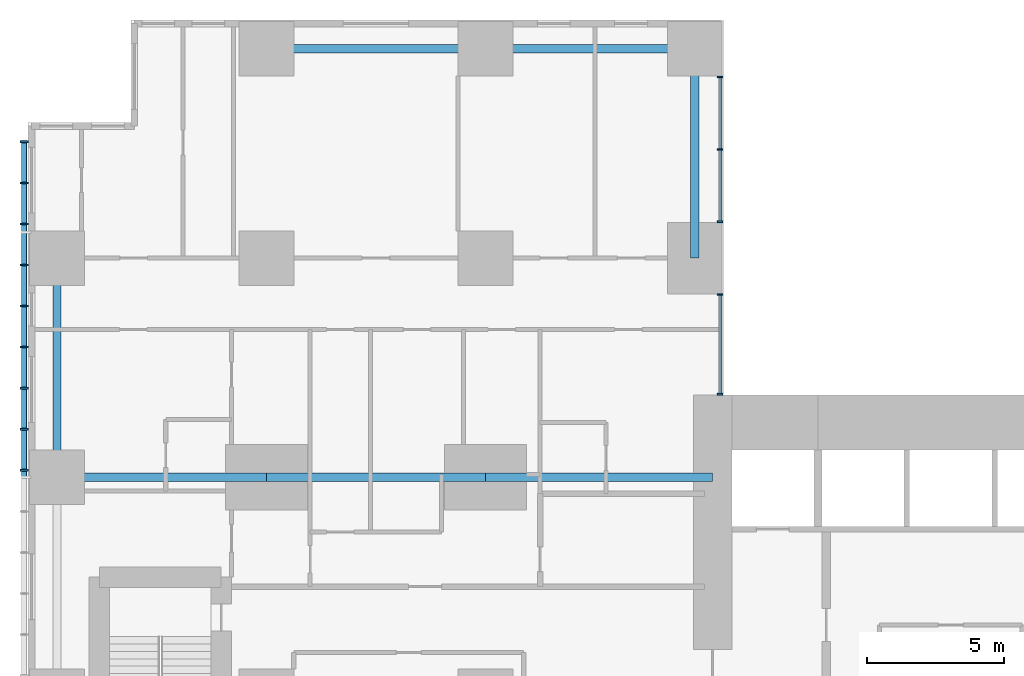
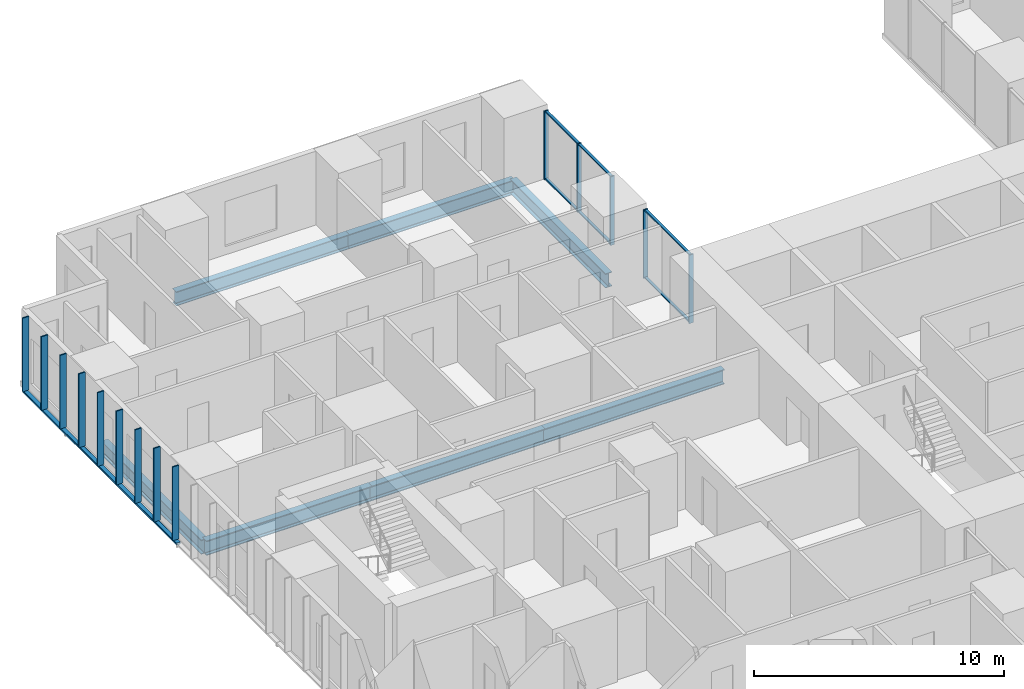
# One storey, part 4 of 20: 21 members, 7 beams, 2 elements without a shape of their own.
"""IFC4 building model written with IfcOpenShell, lengths in metres."""

from ifc_helpers import new_model, si_unit, direction, frame, origin, origin_2d, place, context, subcontext, project, spatial, rectangle, hollow_rectangle, i_section, extrude, material, layer, layer_set, material_profile, profile_set, type_object, element, aggregate, save


model = new_model("IFC4")

# Units and contexts
model_context = context("Model", 3, precision=1e-05, world=origin(), true_north=direction((0.0, 1.0)))
body_context = subcontext(model_context, "Body", "Model", "MODEL_VIEW")
ifc_project = project(units=[si_unit("LENGTHUNIT", "METRE"), si_unit("AREAUNIT", "SQUARE_METRE"), si_unit("VOLUMEUNIT", "CUBIC_METRE"), si_unit("PLANEANGLEUNIT", "RADIAN"), si_unit("MASSUNIT", "GRAM", prefix="KILO")], contexts=[model_context])

# Site, building, storey
site_placement = place(None, origin())
site = spatial("IfcSite", under=ifc_project, at=site_placement, CompositionType="ELEMENT")
building_placement = place(site_placement, origin())
building = spatial("IfcBuilding", under=site, at=building_placement, Name="Cleftline Residences", CompositionType="ELEMENT")
storey_placement = place(building_placement, frame((0.0, 0.0, 146.60009765625)))
storey = spatial("IfcBuildingStorey", under=building, at=storey_placement, Name="L38", CompositionType="ELEMENT", Elevation=146.60009765625)

# Member
ifc_material_1 = material(Name="Steel S355, hot-dip galvanised", Category="steel")
ifc_material_profile_1 = material_profile(ifc_material_1, hollow_rectangle(XDim=0.10009765625, YDim=0.199951171875, WallThickness=0.008056640625, InnerFilletRadius=0.008056640625, OuterFilletRadius=0.011962890625, at=origin_2d()))
ifc_profile_set_1 = profile_set([ifc_material_profile_1], Name="Steel S355, hot-dip galvanised")
member_type_1 = type_object("IfcMemberType", Name="BAGUETTE CARRIER RHS 200X100X8", PredefinedType="USERDEFINED", material=ifc_profile_set_1)
member_1_placement = place(storey_placement, frame((-0.85009765625, 44.300048828125, -0.050048828125), z_axis=(0.0, -1.0, 0.0), x_axis=(0.0, 0.0, 1.0)))
element("IfcMember", 1, at=member_1_placement, inside=storey, type_object=member_type_1, Name="Baguette carrier", ObjectType="BAGUETTE CARRIER", PredefinedType="USERDEFINED", context=body_context, shape_type="SweptSolid", body=[
    extrude(hollow_rectangle(XDim=0.10009765625, YDim=0.199951171875, WallThickness=0.008056640625, InnerFilletRadius=0.008056640625, OuterFilletRadius=0.011962890625, at=origin_2d()), origin(), (0.0, 0.0, 1.0), 12.300048828125),
])

# Beams
ifc_material_2 = material(Name="Steel S355", Category="steel")
ifc_material_profile_2 = material_profile(ifc_material_2, i_section(OverallWidth=0.300048828125, OverallDepth=0.699951171875, WebThickness=0.01708984375, FlangeThickness=0.031982421875, FilletRadius=0.027099609375, at=origin_2d()))
ifc_profile_set_2 = profile_set([ifc_material_profile_2], Name="Steel S355")
beam_type_1 = type_object("IfcBeamType", Name="BEAM HEB 700", PredefinedType="BEAM", material=ifc_profile_set_2)
for number, where, z_axis, x_axis, name in (
    (2, (0.35009765625, 32.0, -0.60009765625), (0.0, 1.0, 0.0), (-1.0, 0.0, 0.0), "Edge beam"),
    (3, (8.0, 47.64990234375, -0.60009765625), (1.0, 0.0, 0.0), (0.0, 1.0, 0.0), "Edge beam"),
):
    element("IfcBeam", number, at=place(storey_placement, frame(where, z_axis=z_axis, x_axis=x_axis)), inside=storey, type_object=beam_type_1, Name=name, PredefinedType="BEAM", context=body_context, shape_type="SweptSolid", body=[
        extrude(i_section(OverallWidth=0.300048828125, OverallDepth=0.699951171875, WebThickness=0.01708984375, FlangeThickness=0.031982421875, FilletRadius=0.027099609375, at=origin_2d()), origin(), (0.0, 0.0, 1.0), 8.0),
    ])
for number, where, z_axis, x_axis, name in (
    (4, (16.0, 47.64990234375, -0.60009765625), (1.0, 0.0, 0.0), (0.0, 1.0, 0.0), "Edge beam"),
    (5, (23.64990234375, 47.64990234375, -0.60009765625), (0.0, -1.0, 0.0), (1.0, 0.0, 0.0), "Edge beam"),
):
    element("IfcBeam", number, at=place(storey_placement, frame(where, z_axis=z_axis, x_axis=x_axis)), inside=storey, type_object=beam_type_1, Name=name, PredefinedType="BEAM", context=body_context, shape_type="SweptSolid", body=[
        extrude(i_section(OverallWidth=0.300048828125, OverallDepth=0.699951171875, WebThickness=0.01708984375, FlangeThickness=0.031982421875, FilletRadius=0.027099609375, at=origin_2d()), origin(), (0.0, 0.0, 1.0), 7.64990234375),
    ])
ifc_material_3 = material(Name="Steel S355", Category="steel")
ifc_material_profile_3 = material_profile(ifc_material_3, i_section(OverallWidth=0.303955078125, OverallDepth=0.716064453125, WebThickness=0.02099609375, FlangeThickness=0.0400390625, FilletRadius=0.027099609375, at=origin_2d()))
ifc_profile_set_3 = profile_set([ifc_material_profile_3], Name="Steel S355")
beam_type_2 = type_object("IfcBeamType", Name="BEAM HEM 700", PredefinedType="BEAM", material=ifc_profile_set_3)
beam_1_placement = place(storey_placement, frame((0.35009765625, 32.0, -0.608154296875), z_axis=(1.0, 0.0, 0.0), x_axis=(0.0, 1.0, 0.0)))
element("IfcBeam", 6, at=beam_1_placement, inside=storey, type_object=beam_type_2, Name="Band beam", PredefinedType="BEAM", context=body_context, shape_type="SweptSolid", body=[
    extrude(i_section(OverallWidth=0.303955078125, OverallDepth=0.716064453125, WebThickness=0.02099609375, FlangeThickness=0.0400390625, FilletRadius=0.027099609375, at=origin_2d()), origin(), (0.0, 0.0, 1.0), 7.64990234375),
])
beam_2_placement = place(storey_placement, frame((8.0, 32.0, -0.608154296875), z_axis=(1.0, 0.0, 0.0), x_axis=(0.0, 1.0, 0.0)))
element("IfcBeam", 7, at=beam_2_placement, inside=storey, type_object=beam_type_2, Name="Band beam", PredefinedType="BEAM", context=body_context, shape_type="SweptSolid", body=[
    extrude(i_section(OverallWidth=0.303955078125, OverallDepth=0.716064453125, WebThickness=0.02099609375, FlangeThickness=0.0400390625, FilletRadius=0.027099609375, at=origin_2d()), origin(), (0.0, 0.0, 1.0), 8.0),
])
beam_3_placement = place(storey_placement, frame((16.0, 32.0, -0.608154296875), z_axis=(1.0, 0.0, 0.0), x_axis=(0.0, 1.0, 0.0)))
element("IfcBeam", 8, at=beam_3_placement, inside=storey, type_object=beam_type_2, Name="Band beam", PredefinedType="BEAM", context=body_context, shape_type="SweptSolid", body=[
    extrude(i_section(OverallWidth=0.303955078125, OverallDepth=0.716064453125, WebThickness=0.02099609375, FlangeThickness=0.0400390625, FilletRadius=0.027099609375, at=origin_2d()), origin(), (0.0, 0.0, 1.0), 8.300048828125),
])

# Curtain wall, members
ifc_material_4 = material(Name="Aluminium framed curtain wall", Category="aluminium")
ifc_layer = layer(ifc_material_4, 0.199951171875)
ifc_layer_set = layer_set([ifc_layer], Name="CW1 CLEFT GLAZING")
curtain_wall_type = type_object("IfcCurtainWallType", Name="CW1 CLEFT GLAZING", PredefinedType="NOTDEFINED", material=ifc_layer_set)
curtain_wall_1_placement = place(storey_placement, origin())
curtain_wall_1 = element("IfcCurtainWall", 9, at=curtain_wall_1_placement, inside=storey, type_object=curtain_wall_type, Name="Curtain wall CW1", PredefinedType="NOTDEFINED")
ifc_material_5 = material(Name="Aluminium mullion", Category="aluminium")
ifc_material_profile_4 = material_profile(ifc_material_5, rectangle(XDim=0.199951171875, YDim=0.06005859375, at=origin_2d()))
ifc_profile_set_4 = profile_set([ifc_material_profile_4], Name="Aluminium mullion")
member_type_2 = type_object("IfcMemberType", Name="CW1 MULLION", PredefinedType="MULLION", material=ifc_profile_set_4)
member_2_placement = place(storey_placement, frame((24.574951171875, 35.030029296875, 0.0), z_axis=(0.0, 0.0, 1.0), x_axis=(-1.0, 0.0, 0.0)))
member_2 = element("IfcMember", 10, at=member_2_placement, type_object=member_type_2, Name="CW1 mullion 1", PredefinedType="MULLION", context=body_context, shape_type="SweptSolid", body=[
    extrude(rectangle(XDim=0.199951171875, YDim=0.06005859375, at=origin_2d()), origin(), (0.0, 0.0, 1.0), 3.349853515625),
])
member_3_placement = place(storey_placement, frame((24.574951171875, 38.669921875, 0.0), z_axis=(0.0, 0.0, 1.0), x_axis=(-1.0, 0.0, 0.0)))
member_3 = element("IfcMember", 11, at=member_3_placement, type_object=member_type_2, Name="CW1 mullion 2", PredefinedType="MULLION", context=body_context, shape_type="SweptSolid", body=[
    extrude(rectangle(XDim=0.199951171875, YDim=0.06005859375, at=origin_2d()), origin(), (0.0, 0.0, 1.0), 3.349853515625),
])

curtain_wall_2_placement = place(storey_placement, origin())
curtain_wall_2 = element("IfcCurtainWall", 12, at=curtain_wall_2_placement, inside=storey, type_object=curtain_wall_type, Name="Curtain wall CW1", PredefinedType="NOTDEFINED")
member_4_placement = place(storey_placement, frame((24.574951171875, 41.330078125, 0.0), z_axis=(0.0, 0.0, 1.0), x_axis=(-1.0, 0.0, 0.0)))
member_4 = element("IfcMember", 13, at=member_4_placement, type_object=member_type_2, Name="CW1 mullion 1", PredefinedType="MULLION", context=body_context, shape_type="SweptSolid", body=[
    extrude(rectangle(XDim=0.199951171875, YDim=0.06005859375, at=origin_2d()), origin(), (0.0, 0.0, 1.0), 3.349853515625),
])
member_5_placement = place(storey_placement, frame((24.574951171875, 43.97509765625, 0.0), z_axis=(0.0, 0.0, 1.0), x_axis=(-1.0, 0.0, 0.0)))
member_5 = element("IfcMember", 14, at=member_5_placement, type_object=member_type_2, Name="CW1 mullion 2", PredefinedType="MULLION", context=body_context, shape_type="SweptSolid", body=[
    extrude(rectangle(XDim=0.199951171875, YDim=0.06005859375, at=origin_2d()), origin(), (0.0, 0.0, 1.0), 3.349853515625),
])
member_6_placement = place(storey_placement, frame((24.574951171875, 46.6201171875, 0.0), z_axis=(0.0, 0.0, 1.0), x_axis=(-1.0, 0.0, 0.0)))
member_6 = element("IfcMember", 15, at=member_6_placement, type_object=member_type_2, Name="CW1 mullion 3", PredefinedType="MULLION", context=body_context, shape_type="SweptSolid", body=[
    extrude(rectangle(XDim=0.199951171875, YDim=0.06005859375, at=origin_2d()), origin(), (0.0, 0.0, 1.0), 3.349853515625),
])

# Member
ifc_material_6 = material(Name="Aluminium transom", Category="aluminium")
ifc_material_profile_5 = material_profile(ifc_material_6, rectangle(XDim=0.1201171875, YDim=0.06005859375, at=origin_2d()))
ifc_profile_set_5 = profile_set([ifc_material_profile_5], Name="Aluminium transom")
member_type_3 = type_object("IfcMemberType", Name="CW1 TRANSOM", PredefinedType="USERDEFINED", material=ifc_profile_set_5)
member_7_placement = place(storey_placement, frame((24.574951171875, 35.06005859375, 0.02978515625), z_axis=(0.0, 1.0, 0.0), x_axis=(-1.0, 0.0, 0.0)))
member_7 = element("IfcMember", 16, at=member_7_placement, type_object=member_type_3, Name="CW1 transom 1.1", ObjectType="TRANSOM", PredefinedType="USERDEFINED", context=body_context, shape_type="SweptSolid", body=[
    extrude(rectangle(XDim=0.1201171875, YDim=0.06005859375, at=origin_2d()), origin(), (0.0, 0.0, 1.0), 3.579833984375),
])

member_8_placement = place(storey_placement, frame((24.574951171875, 35.06005859375, 3.31982421875), z_axis=(0.0, 1.0, 0.0), x_axis=(-1.0, 0.0, 0.0)))
member_8 = element("IfcMember", 17, at=member_8_placement, type_object=member_type_3, Name="CW1 transom 1.2", ObjectType="TRANSOM", PredefinedType="USERDEFINED", context=body_context, shape_type="SweptSolid", body=[
    extrude(rectangle(XDim=0.1201171875, YDim=0.06005859375, at=origin_2d()), origin(), (0.0, 0.0, 1.0), 3.579833984375),
])

aggregate(curtain_wall_1, [member_2, member_3, member_7, member_8])

member_9_placement = place(storey_placement, frame((24.574951171875, 41.360107421875, 0.02978515625), z_axis=(0.0, 1.0, 0.0), x_axis=(-1.0, 0.0, 0.0)))
member_9 = element("IfcMember", 18, at=member_9_placement, type_object=member_type_3, Name="CW1 transom 1.1", ObjectType="TRANSOM", PredefinedType="USERDEFINED", context=body_context, shape_type="SweptSolid", body=[
    extrude(rectangle(XDim=0.1201171875, YDim=0.06005859375, at=origin_2d()), origin(), (0.0, 0.0, 1.0), 2.5849609375),
])

member_10_placement = place(storey_placement, frame((24.574951171875, 41.360107421875, 3.31982421875), z_axis=(0.0, 1.0, 0.0), x_axis=(-1.0, 0.0, 0.0)))
member_10 = element("IfcMember", 19, at=member_10_placement, type_object=member_type_3, Name="CW1 transom 1.2", ObjectType="TRANSOM", PredefinedType="USERDEFINED", context=body_context, shape_type="SweptSolid", body=[
    extrude(rectangle(XDim=0.1201171875, YDim=0.06005859375, at=origin_2d()), origin(), (0.0, 0.0, 1.0), 2.5849609375),
])

member_11_placement = place(storey_placement, frame((24.574951171875, 44.0048828125, 0.02978515625), z_axis=(0.0, 1.0, 0.0), x_axis=(-1.0, 0.0, 0.0)))
member_11 = element("IfcMember", 20, at=member_11_placement, type_object=member_type_3, Name="CW1 transom 2.1", ObjectType="TRANSOM", PredefinedType="USERDEFINED", context=body_context, shape_type="SweptSolid", body=[
    extrude(rectangle(XDim=0.1201171875, YDim=0.06005859375, at=origin_2d()), origin(), (0.0, 0.0, 1.0), 2.585205078125),
])

member_12_placement = place(storey_placement, frame((24.574951171875, 44.0048828125, 3.31982421875), z_axis=(0.0, 1.0, 0.0), x_axis=(-1.0, 0.0, 0.0)))
member_12 = element("IfcMember", 21, at=member_12_placement, type_object=member_type_3, Name="CW1 transom 2.2", ObjectType="TRANSOM", PredefinedType="USERDEFINED", context=body_context, shape_type="SweptSolid", body=[
    extrude(rectangle(XDim=0.1201171875, YDim=0.06005859375, at=origin_2d()), origin(), (0.0, 0.0, 1.0), 2.585205078125),
])

aggregate(curtain_wall_2, [member_4, member_5, member_6, member_9, member_10, member_11, member_12])

# Members
ifc_material_7 = material(Name="Extruded terracotta", Category="masonry")
ifc_material_profile_6 = material_profile(ifc_material_7, rectangle(XDim=0.06005859375, YDim=0.300048828125, at=origin_2d()))
ifc_profile_set_6 = profile_set([ifc_material_profile_6], Name="Extruded terracotta")
member_type_4 = type_object("IfcMemberType", Name="TERRACOTTA BAGUETTE 60X300", PredefinedType="USERDEFINED", material=ifc_profile_set_6)
for number, where, z_axis, x_axis, name in (
    (22, (-0.85009765625, 44.25, 0.0), (0.0, 0.0, 1.0), (0.0, 1.0, 0.0), "Terracotta baguette"),
    (23, (-0.85009765625, 42.75, 0.0), (0.0, 0.0, 1.0), (0.0, 1.0, 0.0), "Terracotta baguette"),
    (24, (-0.85009765625, 41.25, 0.0), (0.0, 0.0, 1.0), (0.0, 1.0, 0.0), "Terracotta baguette"),
    (25, (-0.85009765625, 39.75, 0.0), (0.0, 0.0, 1.0), (0.0, 1.0, 0.0), "Terracotta baguette"),
    (26, (-0.85009765625, 38.25, 0.0), (0.0, 0.0, 1.0), (0.0, 1.0, 0.0), "Terracotta baguette"),
    (27, (-0.85009765625, 36.75, 0.0), (0.0, 0.0, 1.0), (0.0, 1.0, 0.0), "Terracotta baguette"),
    (28, (-0.85009765625, 35.25, 0.0), (0.0, 0.0, 1.0), (0.0, 1.0, 0.0), "Terracotta baguette"),
    (29, (-0.85009765625, 33.75, 0.0), (0.0, 0.0, 1.0), (0.0, 1.0, 0.0), "Terracotta baguette"),
    (30, (-0.85009765625, 32.25, 0.0), (0.0, 0.0, 1.0), (0.0, 1.0, 0.0), "Terracotta baguette"),
):
    element("IfcMember", number, at=place(storey_placement, frame(where, z_axis=z_axis, x_axis=x_axis)), inside=storey, type_object=member_type_4, Name=name, ObjectType="BAGUETTE", PredefinedType="USERDEFINED", context=body_context, shape_type="SweptSolid", body=[
        extrude(rectangle(XDim=0.06005859375, YDim=0.300048828125, at=origin_2d()), origin(), (0.0, 0.0, 1.0), 3.599853515625),
    ])

save(model, "model.ifc")
